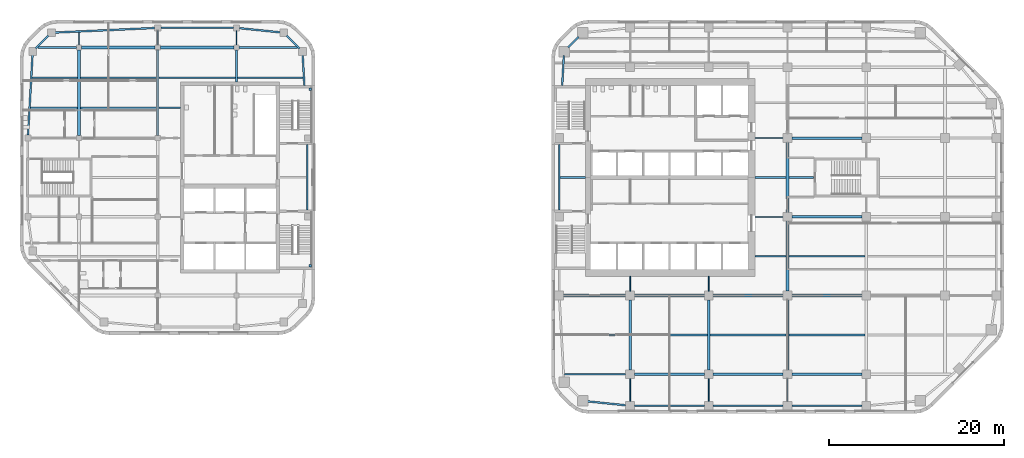
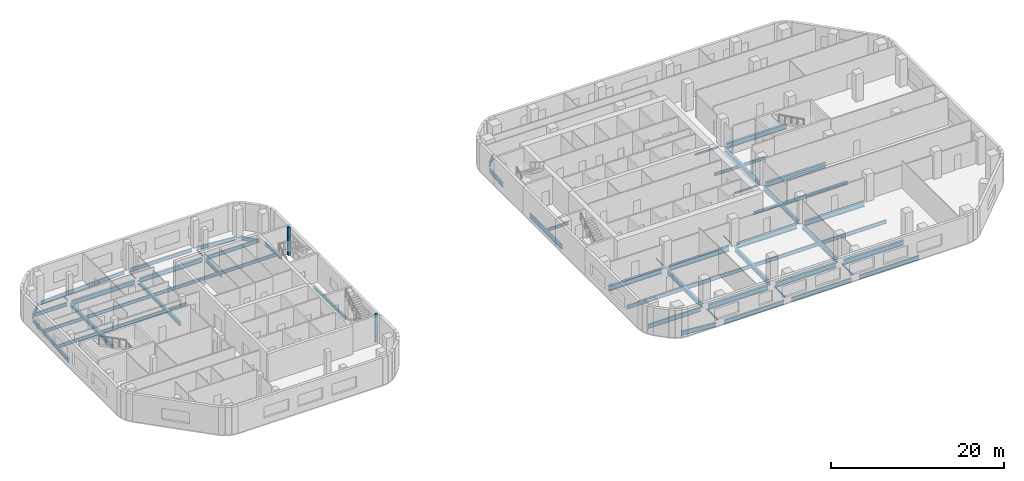
# One storey, part 2 of 14: 63 beams, 2 members.
"""IFC4 building model written with IfcOpenShell, lengths in metres."""

from ifc_helpers import new_model, si_unit, direction, frame, origin, origin_2d, place, context, subcontext, project, spatial, rectangle, i_section, extrude, material, material_profile, profile_set, type_object, element, save


model = new_model("IFC4")

# Units and contexts
model_context = context("Model", 3, precision=1e-05, world=origin(), true_north=direction((0.0, 1.0)))
body_context = subcontext(model_context, "Body", "Model", "MODEL_VIEW")
ifc_project = project(units=[si_unit("LENGTHUNIT", "METRE"), si_unit("AREAUNIT", "SQUARE_METRE"), si_unit("VOLUMEUNIT", "CUBIC_METRE"), si_unit("PLANEANGLEUNIT", "RADIAN"), si_unit("MASSUNIT", "GRAM", prefix="KILO")], contexts=[model_context])

# Site, building, storey
site_placement = place(None, origin())
site = spatial("IfcSite", under=ifc_project, at=site_placement, CompositionType="ELEMENT")
building_placement = place(site_placement, origin())
building = spatial("IfcBuilding", under=site, at=building_placement, Name="Cinnabar Reach Civic Tower", CompositionType="ELEMENT")
storey_placement = place(building_placement, frame((0.0, 0.0, 108.0)))
storey = spatial("IfcBuildingStorey", under=building, at=storey_placement, Name="L25", CompositionType="ELEMENT", Elevation=108.0)

# Beams
ifc_material_1 = material(Name="Steel Q355B", Category="steel")
ifc_material_profile_1 = material_profile(ifc_material_1, i_section(OverallWidth=0.3, OverallDepth=0.488, WebThickness=0.011, FlangeThickness=0.018, FilletRadius=0.016, at=origin_2d()), Name="HM488x300x11x18")
ifc_profile_set_1 = profile_set([ifc_material_profile_1], Name="Steel Q355B")
beam_type_1 = type_object("IfcBeamType", Name="HM488x300x11x18 beam R 120", PredefinedType="BEAM", material=ifc_profile_set_1)
for number, where, z_axis, x_axis, name in (
    (1, (-54.0, 36.302, -0.394), (0.0, 1.0, 0.0), (-1.0, 0.0, 0.0), "Girder T2 L25 4"),
    (2, (-45.0, 36.302, -0.394), (0.0, 1.0, 0.0), (-1.0, 0.0, 0.0), "Girder T2 L25 9"),
):
    element("IfcBeam", number, at=place(storey_placement, frame(where, z_axis=z_axis, x_axis=x_axis)), inside=storey, type_object=beam_type_1, Name=name, PredefinedType="BEAM", context=body_context, shape_type="SweptSolid", body=[
        extrude(i_section(OverallWidth=0.3, OverallDepth=0.488, WebThickness=0.011, FlangeThickness=0.018, FilletRadius=0.016, at=origin_2d()), origin(), (0.0, 0.0, 1.0), 9.746),
    ])
ifc_material_profile_2 = material_profile(ifc_material_1, i_section(OverallWidth=0.3, OverallDepth=0.588, WebThickness=0.012, FlangeThickness=0.02, FilletRadius=0.016, at=origin_2d()), Name="HM588x300x12x20")
ifc_profile_set_2 = profile_set([ifc_material_profile_2], Name="Steel Q355B")
beam_type_2 = type_object("IfcBeamType", Name="HM588x300x12x20 beam R 120", PredefinedType="BEAM", material=ifc_profile_set_2)
for number, where, z_axis, x_axis, name in (
    (3, (-53.698, 46.35, -0.444), (1.0, 0.0, 0.0), (0.0, 1.0, 0.0), "Girder T2 L25 11"),
    (4, (-44.698, 46.35, -0.444), (1.0, 0.0, 0.0), (0.0, 1.0, 0.0), "Girder T2 L25 12"),
):
    element("IfcBeam", number, at=place(storey_placement, frame(where, z_axis=z_axis, x_axis=x_axis)), inside=storey, type_object=beam_type_2, Name=name, PredefinedType="BEAM", context=body_context, shape_type="SweptSolid", body=[
        extrude(i_section(OverallWidth=0.3, OverallDepth=0.588, WebThickness=0.012, FlangeThickness=0.02, FilletRadius=0.016, at=origin_2d()), origin(), (0.0, 0.0, 1.0), 8.396),
    ])
ifc_material_profile_3 = material_profile(ifc_material_1, i_section(OverallWidth=0.302, OverallDepth=0.594, WebThickness=0.014, FlangeThickness=0.023, FilletRadius=0.016, at=origin_2d()), Name="HM594x302x14x23")
ifc_profile_set_3 = profile_set([ifc_material_profile_3], Name="Steel Q355B")
beam_type_3 = type_object("IfcBeamType", Name="HM594x302x14x23 beam R 180", PredefinedType="BEAM", material=ifc_profile_set_3)
for number, where, z_axis, x_axis, name in (
    (5, (9.0, 9.502, -0.447), (0.0, 1.0, 0.0), (-1.0, 0.0, 0.0), "Girder T1 L25 2"),
    (6, (18.0, 9.502, -0.447), (0.0, 1.0, 0.0), (-1.0, 0.0, 0.0), "Girder T1 L25 6"),
    (7, (27.0, 9.502, -0.447), (0.0, 1.0, 0.0), (-1.0, 0.0, 0.0), "Girder T1 L25 10"),
    (8, (27.0, 18.502, -0.447), (0.0, 1.0, 0.0), (-1.0, 0.0, 0.0), "Girder T1 L25 11"),
    (9, (27.0, 27.502, -0.447), (0.0, 1.0, 0.0), (-1.0, 0.0, 0.0), "Girder T1 L25 12"),
):
    element("IfcBeam", number, at=place(storey_placement, frame(where, z_axis=z_axis, x_axis=x_axis)), inside=storey, type_object=beam_type_3, Name=name, PredefinedType="BEAM", context=body_context, shape_type="SweptSolid", body=[
        extrude(i_section(OverallWidth=0.302, OverallDepth=0.594, WebThickness=0.014, FlangeThickness=0.023, FilletRadius=0.016, at=origin_2d()), origin(), (0.0, 0.0, 1.0), 7.996),
    ])
ifc_material_profile_4 = material_profile(ifc_material_1, i_section(OverallWidth=0.099, OverallDepth=0.198, WebThickness=0.0045, FlangeThickness=0.007, FilletRadius=0.013, at=origin_2d()), Name="HN200x100x5.5x8")
ifc_profile_set_4 = profile_set([ifc_material_profile_4], Name="Steel Q355B")
beam_type_4 = type_object("IfcBeamType", Name="HN200x100x5.5x8 beam R 120", PredefinedType="BEAM", material=ifc_profile_set_4)
beam_1_placement = place(storey_placement, frame((-54.0, 46.652, -0.249), z_axis=(0.0, 1.0, 0.0), x_axis=(-1.0, 0.0, 0.0)))
element("IfcBeam", 10, at=beam_1_placement, inside=storey, type_object=beam_type_4, Name="Girder T2 L25 5", PredefinedType="BEAM", context=body_context, shape_type="SweptSolid", body=[
    extrude(i_section(OverallWidth=0.099, OverallDepth=0.198, WebThickness=0.0045, FlangeThickness=0.007, FilletRadius=0.013, at=origin_2d()), origin(), (0.0, 0.0, 1.0), 1.4361),
])
for number, where, z_axis, x_axis, name in (
    (11, (-45.0, 46.652, -0.249), (0.0, 1.0, 0.0), (-1.0, 0.0, 0.0), "Girder T2 L25 10"),
    (12, (-36.0, 46.652, -0.249), (0.0, 1.0, 0.0), (-1.0, 0.0, 0.0), "Girder T2 L25 14"),
):
    element("IfcBeam", number, at=place(storey_placement, frame(where, z_axis=z_axis, x_axis=x_axis)), inside=storey, type_object=beam_type_4, Name=name, PredefinedType="BEAM", context=body_context, shape_type="SweptSolid", body=[
        extrude(i_section(OverallWidth=0.099, OverallDepth=0.198, WebThickness=0.0045, FlangeThickness=0.007, FilletRadius=0.013, at=origin_2d()), origin(), (0.0, 0.0, 1.0), 1.596),
    ])
ifc_material_profile_5 = material_profile(ifc_material_1, i_section(OverallWidth=0.099, OverallDepth=0.198, WebThickness=0.0045, FlangeThickness=0.007, FilletRadius=0.013, at=origin_2d()), Name="HN200x100x5.5x8")
ifc_profile_set_5 = profile_set([ifc_material_profile_5], Name="Steel Q355B")
beam_type_5 = type_object("IfcBeamType", Name="HN200x100x5.5x8 beam R 180", PredefinedType="BEAM", material=ifc_profile_set_5)
beam_2_placement = place(storey_placement, frame((9.0, 5.902, -0.249), z_axis=(0.0, 1.0, 0.0), x_axis=(-1.0, 0.0, 0.0)))
element("IfcBeam", 13, at=beam_2_placement, inside=storey, type_object=beam_type_5, Name="Girder T1 L25 1", PredefinedType="BEAM", context=body_context, shape_type="SweptSolid", body=[
    extrude(i_section(OverallWidth=0.099, OverallDepth=0.198, WebThickness=0.0045, FlangeThickness=0.007, FilletRadius=0.013, at=origin_2d()), origin(), (0.0, 0.0, 1.0), 2.596),
])
beam_3_placement = place(storey_placement, frame((9.0, 18.502, -0.249), z_axis=(0.0, 1.0, 0.0), x_axis=(-1.0, 0.0, 0.0)))
element("IfcBeam", 14, at=beam_3_placement, inside=storey, type_object=beam_type_5, Name="Girder T1 L25 3", PredefinedType="BEAM", context=body_context, shape_type="SweptSolid", body=[
    extrude(i_section(OverallWidth=0.099, OverallDepth=0.198, WebThickness=0.0045, FlangeThickness=0.007, FilletRadius=0.013, at=origin_2d()), origin(), (0.0, 0.0, 1.0), 1.696),
])
beam_4_placement = place(storey_placement, frame((18.0, 5.902, -0.249), z_axis=(0.0, 1.0, 0.0), x_axis=(-1.0, 0.0, 0.0)))
element("IfcBeam", 15, at=beam_4_placement, inside=storey, type_object=beam_type_5, Name="Girder T1 L25 5", PredefinedType="BEAM", context=body_context, shape_type="SweptSolid", body=[
    extrude(i_section(OverallWidth=0.099, OverallDepth=0.198, WebThickness=0.0045, FlangeThickness=0.007, FilletRadius=0.013, at=origin_2d()), origin(), (0.0, 0.0, 1.0), 2.596),
])
beam_5_placement = place(storey_placement, frame((18.0, 18.502, -0.249), z_axis=(0.0, 1.0, 0.0), x_axis=(-1.0, 0.0, 0.0)))
element("IfcBeam", 16, at=beam_5_placement, inside=storey, type_object=beam_type_5, Name="Girder T1 L25 7", PredefinedType="BEAM", context=body_context, shape_type="SweptSolid", body=[
    extrude(i_section(OverallWidth=0.099, OverallDepth=0.198, WebThickness=0.0045, FlangeThickness=0.007, FilletRadius=0.013, at=origin_2d()), origin(), (0.0, 0.0, 1.0), 1.696),
])
beam_6_placement = place(storey_placement, frame((27.0, 5.902, -0.249), z_axis=(0.0, 1.0, 0.0), x_axis=(-1.0, 0.0, 0.0)))
element("IfcBeam", 17, at=beam_6_placement, inside=storey, type_object=beam_type_5, Name="Girder T1 L25 9", PredefinedType="BEAM", context=body_context, shape_type="SweptSolid", body=[
    extrude(i_section(OverallWidth=0.099, OverallDepth=0.198, WebThickness=0.0045, FlangeThickness=0.007, FilletRadius=0.013, at=origin_2d()), origin(), (0.0, 0.0, 1.0), 2.596),
])
ifc_material_profile_6 = material_profile(ifc_material_1, i_section(OverallWidth=0.124, OverallDepth=0.248, WebThickness=0.005, FlangeThickness=0.008, FilletRadius=0.013, at=origin_2d()), Name="HN250x125x6x9")
ifc_profile_set_6 = profile_set([ifc_material_profile_6], Name="Steel Q355B")
beam_type_6 = type_object("IfcBeamType", Name="HN250x125x6x9 beam R 180", PredefinedType="BEAM", material=ifc_profile_set_6)
for number, where, z_axis, x_axis, name in (
    (18, (23.302, 27.0, -0.274), (1.0, 0.0, 0.0), (0.0, 1.0, 0.0), "Girder T1 L25 12"),
    (19, (23.302, 36.0, -0.274), (1.0, 0.0, 0.0), (0.0, 1.0, 0.0), "Girder T1 L25 16"),
):
    element("IfcBeam", number, at=place(storey_placement, frame(where, z_axis=z_axis, x_axis=x_axis)), inside=storey, type_object=beam_type_6, Name=name, PredefinedType="BEAM", context=body_context, shape_type="SweptSolid", body=[
        extrude(i_section(OverallWidth=0.124, OverallDepth=0.248, WebThickness=0.005, FlangeThickness=0.008, FilletRadius=0.013, at=origin_2d()), origin(), (0.0, 0.0, 1.0), 3.196),
    ])
ifc_material_profile_7 = material_profile(ifc_material_1, i_section(OverallWidth=0.175, OverallDepth=0.35, WebThickness=0.007, FlangeThickness=0.011, FilletRadius=0.013, at=origin_2d()), Name="HN350x175x7x11")
ifc_profile_set_7 = profile_set([ifc_material_profile_7], Name="Steel Q355B")
beam_type_7 = type_object("IfcBeamType", Name="HN350x175x7x11 beam R 120", PredefinedType="BEAM", material=ifc_profile_set_7)
beam_7_placement = place(storey_placement, frame((-44.848, 39.45, -0.325), z_axis=(1.0, 0.0, 0.0), x_axis=(0.0, 1.0, 0.0)))
element("IfcBeam", 20, at=beam_7_placement, inside=storey, type_object=beam_type_7, Name="Secondary beam T2 L25 9", PredefinedType="BEAM", context=body_context, shape_type="SweptSolid", body=[
    extrude(i_section(OverallWidth=0.175, OverallDepth=0.35, WebThickness=0.007, FlangeThickness=0.011, FilletRadius=0.013, at=origin_2d()), origin(), (0.0, 0.0, 1.0), 2.446),
])
ifc_material_profile_8 = material_profile(ifc_material_1, i_section(OverallWidth=0.199, OverallDepth=0.396, WebThickness=0.007, FlangeThickness=0.011, FilletRadius=0.013, at=origin_2d()), Name="HN396x199x7x11")
ifc_profile_set_8 = profile_set([ifc_material_profile_8], Name="Steel Q355B")
beam_type_8 = type_object("IfcBeamType", Name="HN396x199x7x11 beam R 180", PredefinedType="BEAM", material=ifc_profile_set_8)
beam_8_placement = place(storey_placement, frame((23.302, 22.5, -0.348), z_axis=(1.0, 0.0, 0.0), x_axis=(0.0, 1.0, 0.0)))
element("IfcBeam", 21, at=beam_8_placement, inside=storey, type_object=beam_type_8, Name="Secondary beam T1 L25 7", PredefinedType="BEAM", context=body_context, shape_type="SweptSolid", body=[
    extrude(i_section(OverallWidth=0.199, OverallDepth=0.396, WebThickness=0.007, FlangeThickness=0.011, FilletRadius=0.013, at=origin_2d()), origin(), (0.0, 0.0, 1.0), 3.545),
])
beam_9_placement = place(storey_placement, frame((1.002, 31.5, -0.348), z_axis=(1.0, 0.0, 0.0), x_axis=(0.0, 1.0, 0.0)))
element("IfcBeam", 22, at=beam_9_placement, inside=storey, type_object=beam_type_8, Name="Secondary beam T1 L25 11", PredefinedType="BEAM", context=body_context, shape_type="SweptSolid", body=[
    extrude(i_section(OverallWidth=0.199, OverallDepth=0.396, WebThickness=0.007, FlangeThickness=0.011, FilletRadius=0.013, at=origin_2d()), origin(), (0.0, 0.0, 1.0), 2.896),
])
beam_10_placement = place(storey_placement, frame((23.302, 31.5, -0.348), z_axis=(1.0, 0.0, 0.0), x_axis=(0.0, 1.0, 0.0)))
element("IfcBeam", 23, at=beam_10_placement, inside=storey, type_object=beam_type_8, Name="Secondary beam T1 L25 12", PredefinedType="BEAM", context=body_context, shape_type="SweptSolid", body=[
    extrude(i_section(OverallWidth=0.199, OverallDepth=0.396, WebThickness=0.007, FlangeThickness=0.011, FilletRadius=0.013, at=origin_2d()), origin(), (0.0, 0.0, 1.0), 3.545),
])
beam_11_placement = place(storey_placement, frame((27.153, 31.5, -0.348), z_axis=(1.0, 0.0, 0.0), x_axis=(0.0, 1.0, 0.0)))
element("IfcBeam", 24, at=beam_11_placement, inside=storey, type_object=beam_type_8, Name="Secondary beam T1 L25 13", PredefinedType="BEAM", context=body_context, shape_type="SweptSolid", body=[
    extrude(i_section(OverallWidth=0.199, OverallDepth=0.396, WebThickness=0.007, FlangeThickness=0.011, FilletRadius=0.013, at=origin_2d()), origin(), (0.0, 0.0, 1.0), 2.845),
])
ifc_material_profile_9 = material_profile(ifc_material_1, i_section(OverallWidth=0.2, OverallDepth=0.45, WebThickness=0.009, FlangeThickness=0.014, FilletRadius=0.016, at=origin_2d()), Name="HN450x200x9x14")
ifc_profile_set_9 = profile_set([ifc_material_profile_9], Name="Steel Q355B")
beam_type_9 = type_object("IfcBeamType", Name="HN450x200x9x14 beam R 120", PredefinedType="BEAM", material=ifc_profile_set_9)
beam_12_placement = place(storey_placement, frame((-59.5551, 39.45, -0.375), z_axis=(1.0, 0.0, 0.0), x_axis=(0.0, 1.0, 0.0)))
element("IfcBeam", 25, at=beam_12_placement, inside=storey, type_object=beam_type_9, Name="Secondary beam T2 L25 7", PredefinedType="BEAM", context=body_context, shape_type="SweptSolid", body=[
    extrude(i_section(OverallWidth=0.2, OverallDepth=0.45, WebThickness=0.009, FlangeThickness=0.014, FilletRadius=0.016, at=origin_2d()), origin(), (0.0, 0.0, 1.0), 5.4031),
])
beam_13_placement = place(storey_placement, frame((-53.848, 39.45, -0.375), z_axis=(1.0, 0.0, 0.0), x_axis=(0.0, 1.0, 0.0)))
element("IfcBeam", 26, at=beam_13_placement, inside=storey, type_object=beam_type_9, Name="Secondary beam T2 L25 8", PredefinedType="BEAM", context=body_context, shape_type="SweptSolid", body=[
    extrude(i_section(OverallWidth=0.2, OverallDepth=0.45, WebThickness=0.009, FlangeThickness=0.014, FilletRadius=0.016, at=origin_2d()), origin(), (0.0, 0.0, 1.0), 8.696),
])
beam_14_placement = place(storey_placement, frame((-59.3623, 42.9, -0.375), z_axis=(1.0, 0.0, 0.0), x_axis=(0.0, 1.0, 0.0)))
element("IfcBeam", 27, at=beam_14_placement, inside=storey, type_object=beam_type_9, Name="Secondary beam T2 L25 10", PredefinedType="BEAM", context=body_context, shape_type="SweptSolid", body=[
    extrude(i_section(OverallWidth=0.2, OverallDepth=0.45, WebThickness=0.009, FlangeThickness=0.014, FilletRadius=0.016, at=origin_2d()), origin(), (0.0, 0.0, 1.0), 5.2103),
])
beam_15_placement = place(storey_placement, frame((-53.848, 42.9, -0.375), z_axis=(1.0, 0.0, 0.0), x_axis=(0.0, 1.0, 0.0)))
element("IfcBeam", 28, at=beam_15_placement, inside=storey, type_object=beam_type_9, Name="Secondary beam T2 L25 11", PredefinedType="BEAM", context=body_context, shape_type="SweptSolid", body=[
    extrude(i_section(OverallWidth=0.2, OverallDepth=0.45, WebThickness=0.009, FlangeThickness=0.014, FilletRadius=0.016, at=origin_2d()), origin(), (0.0, 0.0, 1.0), 8.696),
])
beam_16_placement = place(storey_placement, frame((-44.848, 42.9, -0.375), z_axis=(1.0, 0.0, 0.0), x_axis=(0.0, 1.0, 0.0)))
element("IfcBeam", 29, at=beam_16_placement, inside=storey, type_object=beam_type_9, Name="Secondary beam T2 L25 12", PredefinedType="BEAM", context=body_context, shape_type="SweptSolid", body=[
    extrude(i_section(OverallWidth=0.2, OverallDepth=0.45, WebThickness=0.009, FlangeThickness=0.014, FilletRadius=0.016, at=origin_2d()), origin(), (0.0, 0.0, 1.0), 8.746),
])
beam_17_placement = place(storey_placement, frame((-35.898, 42.9, -0.375), z_axis=(1.0, 0.0, 0.0), x_axis=(0.0, 1.0, 0.0)))
element("IfcBeam", 30, at=beam_17_placement, inside=storey, type_object=beam_type_9, Name="Secondary beam T2 L25 13", PredefinedType="BEAM", context=body_context, shape_type="SweptSolid", body=[
    extrude(i_section(OverallWidth=0.2, OverallDepth=0.45, WebThickness=0.009, FlangeThickness=0.014, FilletRadius=0.016, at=origin_2d()), origin(), (0.0, 0.0, 1.0), 7.5103),
])
ifc_material_profile_10 = material_profile(ifc_material_1, i_section(OverallWidth=0.199, OverallDepth=0.496, WebThickness=0.009, FlangeThickness=0.014, FilletRadius=0.016, at=origin_2d()), Name="HN496x199x9x14")
ifc_profile_set_10 = profile_set([ifc_material_profile_10], Name="Steel Q355B")
beam_type_10 = type_object("IfcBeamType", Name="HN496x199x9x14 beam R 180", PredefinedType="BEAM", material=ifc_profile_set_10)
beam_18_placement = place(storey_placement, frame((1.2536, 13.5, -0.398), z_axis=(1.0, 0.0, 0.0), x_axis=(0.0, 1.0, 0.0)))
element("IfcBeam", 31, at=beam_18_placement, inside=storey, type_object=beam_type_10, Name="Secondary beam T1 L25 1", PredefinedType="BEAM", context=body_context, shape_type="SweptSolid", body=[
    extrude(i_section(OverallWidth=0.199, OverallDepth=0.496, WebThickness=0.009, FlangeThickness=0.014, FilletRadius=0.016, at=origin_2d()), origin(), (0.0, 0.0, 1.0), 7.5934),
])
for number, where, z_axis, x_axis, name in (
    (32, (9.153, 13.5, -0.398), (1.0, 0.0, 0.0), (0.0, 1.0, 0.0), "Secondary beam T1 L25 2"),
    (33, (18.153, 13.5, -0.398), (1.0, 0.0, 0.0), (0.0, 1.0, 0.0), "Secondary beam T1 L25 3"),
    (34, (27.153, 13.5, -0.398), (1.0, 0.0, 0.0), (0.0, 1.0, 0.0), "Secondary beam T1 L25 4"),
    (35, (27.153, 22.5, -0.398), (1.0, 0.0, 0.0), (0.0, 1.0, 0.0), "Secondary beam T1 L25 8"),
):
    element("IfcBeam", number, at=place(storey_placement, frame(where, z_axis=z_axis, x_axis=x_axis)), inside=storey, type_object=beam_type_10, Name=name, PredefinedType="BEAM", context=body_context, shape_type="SweptSolid", body=[
        extrude(i_section(OverallWidth=0.199, OverallDepth=0.496, WebThickness=0.009, FlangeThickness=0.014, FilletRadius=0.016, at=origin_2d()), origin(), (0.0, 0.0, 1.0), 8.694),
    ])
ifc_material_profile_11 = material_profile(ifc_material_1, i_section(OverallWidth=0.2, OverallDepth=0.5, WebThickness=0.01, FlangeThickness=0.016, FilletRadius=0.016, at=origin_2d()), Name="HN500x200x10x16")
ifc_profile_set_11 = profile_set([ifc_material_profile_11], Name="Steel Q355B")
beam_type_11 = type_object("IfcBeamType", Name="HN500x200x10x16 beam R 120", PredefinedType="BEAM", material=ifc_profile_set_11)
beam_19_placement = place(storey_placement, frame((-27.9, 27.752, -0.4), z_axis=(0.0, 1.0, 0.0), x_axis=(-1.0, 0.0, 0.0)))
element("IfcBeam", 36, at=beam_19_placement, inside=storey, type_object=beam_type_11, Name="Edge beam T2 L25 6", PredefinedType="BEAM", context=body_context, shape_type="SweptSolid", body=[
    extrude(i_section(OverallWidth=0.2, OverallDepth=0.5, WebThickness=0.01, FlangeThickness=0.016, FilletRadius=0.016, at=origin_2d()), origin(), (0.0, 0.0, 1.0), 7.496),
])
beam_20_placement = place(storey_placement, frame((-28.2354, 42.002, -0.4), z_axis=(-0.055775670196, 0.99844332569, 0.0), x_axis=(-0.99844332569, -0.055775670196, 0.0)))
element("IfcBeam", 37, at=beam_20_placement, inside=storey, type_object=beam_type_11, Name="Edge beam T2 L25 7", PredefinedType="BEAM", context=body_context, shape_type="SweptSolid", body=[
    extrude(i_section(OverallWidth=0.2, OverallDepth=0.5, WebThickness=0.01, FlangeThickness=0.016, FilletRadius=0.016, at=origin_2d()), origin(), (0.0, 0.0, 1.0), 3.5697),
])
beam_21_placement = place(storey_placement, frame((-28.7851, 46.2301, -0.4), z_axis=(-0.707106781187, 0.707106781187, 0.0), x_axis=(-0.707106781187, -0.707106781187, 0.0)))
element("IfcBeam", 38, at=beam_21_placement, inside=storey, type_object=beam_type_11, Name="Edge beam T2 L25 8", PredefinedType="BEAM", context=body_context, shape_type="SweptSolid", body=[
    extrude(i_section(OverallWidth=0.2, OverallDepth=0.5, WebThickness=0.01, FlangeThickness=0.016, FilletRadius=0.016, at=origin_2d()), origin(), (0.0, 0.0, 1.0), 2.0998),
])
beam_22_placement = place(storey_placement, frame((-30.9339, 48.0809, -0.4), z_axis=(-0.994792087401, 0.101924986363, 0.0), x_axis=(-0.101924986363, -0.994792087401, 0.0)))
element("IfcBeam", 39, at=beam_22_placement, inside=storey, type_object=beam_type_11, Name="Edge beam T2 L25 9", PredefinedType="BEAM", context=body_context, shape_type="SweptSolid", body=[
    extrude(i_section(OverallWidth=0.2, OverallDepth=0.5, WebThickness=0.01, FlangeThickness=0.016, FilletRadius=0.016, at=origin_2d()), origin(), (0.0, 0.0, 1.0), 4.7388),
])
beam_23_placement = place(storey_placement, frame((-36.352, 48.6, -0.4), z_axis=(-1.0, 0.0, 0.0), x_axis=(0.0, -1.0, 0.0)))
element("IfcBeam", 40, at=beam_23_placement, inside=storey, type_object=beam_type_11, Name="Edge beam T2 L25 10", PredefinedType="BEAM", context=body_context, shape_type="SweptSolid", body=[
    extrude(i_section(OverallWidth=0.2, OverallDepth=0.5, WebThickness=0.01, FlangeThickness=0.016, FilletRadius=0.016, at=origin_2d()), origin(), (0.0, 0.0, 1.0), 8.296),
])
beam_24_placement = place(storey_placement, frame((-45.352, 48.584, -0.4), z_axis=(-0.998964961738, -0.045486319033, 0.0), x_axis=(0.045486319033, -0.998964961738, 0.0)))
element("IfcBeam", 41, at=beam_24_placement, inside=storey, type_object=beam_type_11, Name="Edge beam T2 L25 11", PredefinedType="BEAM", context=body_context, shape_type="SweptSolid", body=[
    extrude(i_section(OverallWidth=0.2, OverallDepth=0.5, WebThickness=0.01, FlangeThickness=0.016, FilletRadius=0.016, at=origin_2d()), origin(), (0.0, 0.0, 1.0), 11.476),
])
beam_25_placement = place(storey_placement, frame((-57.4801, 47.7149, -0.4), z_axis=(-0.707106781187, -0.707106781187, 0.0), x_axis=(0.707106781187, -0.707106781187, 0.0)))
element("IfcBeam", 42, at=beam_25_placement, inside=storey, type_object=beam_type_11, Name="Edge beam T2 L25 12", PredefinedType="BEAM", context=body_context, shape_type="SweptSolid", body=[
    extrude(i_section(OverallWidth=0.2, OverallDepth=0.5, WebThickness=0.01, FlangeThickness=0.016, FilletRadius=0.016, at=origin_2d()), origin(), (0.0, 0.0, 1.0), 2.0998),
])
beam_26_placement = place(storey_placement, frame((-59.3155, 45.5661, -0.4), z_axis=(-0.055783895065, -0.998442866193, 0.0), x_axis=(0.998442866193, -0.055783895065, 0.0)))
element("IfcBeam", 43, at=beam_26_placement, inside=storey, type_object=beam_type_11, Name="Edge beam T2 L25 13", PredefinedType="BEAM", context=body_context, shape_type="SweptSolid", body=[
    extrude(i_section(OverallWidth=0.2, OverallDepth=0.5, WebThickness=0.01, FlangeThickness=0.016, FilletRadius=0.016, at=origin_2d()), origin(), (0.0, 0.0, 1.0), 9.2285),
])
beam_27_placement = place(storey_placement, frame((-58.7008, 46.35, -0.4), z_axis=(1.0, 0.0, 0.0), x_axis=(0.0, 1.0, 0.0)))
element("IfcBeam", 44, at=beam_27_placement, inside=storey, type_object=beam_type_11, Name="Girder T2 L25 10", PredefinedType="BEAM", context=body_context, shape_type="SweptSolid", body=[
    extrude(i_section(OverallWidth=0.2, OverallDepth=0.5, WebThickness=0.01, FlangeThickness=0.016, FilletRadius=0.016, at=origin_2d()), origin(), (0.0, 0.0, 1.0), 4.3988),
])
beam_28_placement = place(storey_placement, frame((-35.698, 46.35, -0.4), z_axis=(1.0, 0.0, 0.0), x_axis=(0.0, 1.0, 0.0)))
element("IfcBeam", 45, at=beam_28_placement, inside=storey, type_object=beam_type_11, Name="Girder T2 L25 13", PredefinedType="BEAM", context=body_context, shape_type="SweptSolid", body=[
    extrude(i_section(OverallWidth=0.2, OverallDepth=0.5, WebThickness=0.01, FlangeThickness=0.016, FilletRadius=0.016, at=origin_2d()), origin(), (0.0, 0.0, 1.0), 6.6488),
])
beam_29_placement = place(storey_placement, frame((-36.0, 42.402, -0.4), z_axis=(0.0, 1.0, 0.0), x_axis=(-1.0, 0.0, 0.0)))
element("IfcBeam", 46, at=beam_29_placement, inside=storey, type_object=beam_type_11, Name="Girder T2 L25 13", PredefinedType="BEAM", context=body_context, shape_type="SweptSolid", body=[
    extrude(i_section(OverallWidth=0.2, OverallDepth=0.5, WebThickness=0.01, FlangeThickness=0.016, FilletRadius=0.016, at=origin_2d()), origin(), (0.0, 0.0, 1.0), 3.646),
])
ifc_material_profile_12 = material_profile(ifc_material_1, i_section(OverallWidth=0.199, OverallDepth=0.596, WebThickness=0.01, FlangeThickness=0.015, FilletRadius=0.016, at=origin_2d()), Name="HN596x199x10x15")
ifc_profile_set_12 = profile_set([ifc_material_profile_12], Name="Steel Q355B")
beam_type_12 = type_object("IfcBeamType", Name="HN596x199x10x15 beam R 180", PredefinedType="BEAM", material=ifc_profile_set_12)
beam_30_placement = place(storey_placement, frame((1.5051, 9.0, -0.448), z_axis=(1.0, 0.0, 0.0), x_axis=(0.0, 1.0, 0.0)))
element("IfcBeam", 47, at=beam_30_placement, inside=storey, type_object=beam_type_12, Name="Girder T1 L25 1", PredefinedType="BEAM", context=body_context, shape_type="SweptSolid", body=[
    extrude(i_section(OverallWidth=0.199, OverallDepth=0.596, WebThickness=0.01, FlangeThickness=0.015, FilletRadius=0.016, at=origin_2d()), origin(), (0.0, 0.0, 1.0), 6.9929),
])
ifc_material_profile_13 = material_profile(ifc_material_1, i_section(OverallWidth=0.2, OverallDepth=0.6, WebThickness=0.011, FlangeThickness=0.017, FilletRadius=0.016, at=origin_2d()), Name="HN600x200x11x17")
ifc_profile_set_13 = profile_set([ifc_material_profile_13], Name="Steel Q355B")
beam_type_13 = type_object("IfcBeamType", Name="HN600x200x11x17 beam R 180", PredefinedType="BEAM", material=ifc_profile_set_13)
beam_31_placement = place(storey_placement, frame((4.0839, 5.9037, -0.45), z_axis=(0.994791228755, -0.101933366432, 0.0), x_axis=(0.101933366432, 0.994791228755, 0.0)))
element("IfcBeam", 48, at=beam_31_placement, inside=storey, type_object=beam_type_13, Name="Edge beam T1 L25 1", PredefinedType="BEAM", context=body_context, shape_type="SweptSolid", body=[
    extrude(i_section(OverallWidth=0.2, OverallDepth=0.6, WebThickness=0.011, FlangeThickness=0.017, FilletRadius=0.016, at=origin_2d()), origin(), (0.0, 0.0, 1.0), 4.4372),
])
for number, where, z_axis, x_axis, name in (
    (49, (9.502, 5.4, -0.45), (1.0, 0.0, 0.0), (0.0, 1.0, 0.0), "Edge beam T1 L25 2"),
    (50, (18.502, 5.4, -0.45), (1.0, 0.0, 0.0), (0.0, 1.0, 0.0), "Edge beam T1 L25 3"),
    (51, (27.502, 5.4, -0.45), (1.0, 0.0, 0.0), (0.0, 1.0, 0.0), "Edge beam T1 L25 4"),
):
    element("IfcBeam", number, at=place(storey_placement, frame(where, z_axis=z_axis, x_axis=x_axis)), inside=storey, type_object=beam_type_13, Name=name, PredefinedType="BEAM", context=body_context, shape_type="SweptSolid", body=[
        extrude(i_section(OverallWidth=0.2, OverallDepth=0.6, WebThickness=0.011, FlangeThickness=0.017, FilletRadius=0.016, at=origin_2d()), origin(), (0.0, 0.0, 1.0), 7.996),
    ])
beam_32_placement = place(storey_placement, frame((3.1199, 47.5649, -0.45), z_axis=(-0.707106781187, -0.707106781187, 0.0), x_axis=(0.707106781187, -0.707106781187, 0.0)))
element("IfcBeam", 52, at=beam_32_placement, inside=storey, type_object=beam_type_13, Name="Edge beam T1 L25 19", PredefinedType="BEAM", context=body_context, shape_type="SweptSolid", body=[
    extrude(i_section(OverallWidth=0.2, OverallDepth=0.6, WebThickness=0.011, FlangeThickness=0.017, FilletRadius=0.016, at=origin_2d()), origin(), (0.0, 0.0, 1.0), 1.6756),
])
beam_33_placement = place(storey_placement, frame((1.4262, 45.4161, -0.45), z_axis=(-0.055798816608, -0.998442032401, 0.0), x_axis=(0.998442032401, -0.055798816608, 0.0)))
element("IfcBeam", 53, at=beam_33_placement, inside=storey, type_object=beam_type_13, Name="Edge beam T1 L25 20", PredefinedType="BEAM", context=body_context, shape_type="SweptSolid", body=[
    extrude(i_section(OverallWidth=0.2, OverallDepth=0.6, WebThickness=0.011, FlangeThickness=0.017, FilletRadius=0.016, at=origin_2d()), origin(), (0.0, 0.0, 1.0), 3.4194),
])
beam_34_placement = place(storey_placement, frame((0.9, 35.248, -0.45), z_axis=(0.0, -1.0, 0.0), x_axis=(1.0, 0.0, 0.0)))
element("IfcBeam", 54, at=beam_34_placement, inside=storey, type_object=beam_type_13, Name="Edge beam T1 L25 21", PredefinedType="BEAM", context=body_context, shape_type="SweptSolid", body=[
    extrude(i_section(OverallWidth=0.2, OverallDepth=0.6, WebThickness=0.011, FlangeThickness=0.017, FilletRadius=0.016, at=origin_2d()), origin(), (0.0, 0.0, 1.0), 7.496),
])
ifc_material_profile_14 = material_profile(ifc_material_1, i_section(OverallWidth=0.3, OverallDepth=0.692, WebThickness=0.013, FlangeThickness=0.02, FilletRadius=0.016, at=origin_2d()), Name="HN692x300x13x20")
ifc_profile_set_14 = profile_set([ifc_material_profile_14], Name="Steel Q355B")
beam_type_14 = type_object("IfcBeamType", Name="HN692x300x13x20 beam R 180", PredefinedType="BEAM", material=ifc_profile_set_14)
for number, where, z_axis, x_axis, name in (
    (55, (9.502, 9.0, -0.496), (1.0, 0.0, 0.0), (0.0, 1.0, 0.0), "Girder T1 L25 2"),
    (56, (18.502, 9.0, -0.496), (1.0, 0.0, 0.0), (0.0, 1.0, 0.0), "Girder T1 L25 3"),
    (57, (27.502, 9.0, -0.496), (1.0, 0.0, 0.0), (0.0, 1.0, 0.0), "Girder T1 L25 4"),
):
    element("IfcBeam", number, at=place(storey_placement, frame(where, z_axis=z_axis, x_axis=x_axis)), inside=storey, type_object=beam_type_14, Name=name, PredefinedType="BEAM", context=body_context, shape_type="SweptSolid", body=[
        extrude(i_section(OverallWidth=0.3, OverallDepth=0.692, WebThickness=0.013, FlangeThickness=0.02, FilletRadius=0.016, at=origin_2d()), origin(), (0.0, 0.0, 1.0), 7.996),
    ])
beam_35_placement = place(storey_placement, frame((1.402, 18.0, -0.496), z_axis=(1.0, 0.0, 0.0), x_axis=(0.0, 1.0, 0.0)))
element("IfcBeam", 58, at=beam_35_placement, inside=storey, type_object=beam_type_14, Name="Girder T1 L25 6", PredefinedType="BEAM", context=body_context, shape_type="SweptSolid", body=[
    extrude(i_section(OverallWidth=0.3, OverallDepth=0.692, WebThickness=0.013, FlangeThickness=0.02, FilletRadius=0.016, at=origin_2d()), origin(), (0.0, 0.0, 1.0), 7.096),
])
for number, where, z_axis, x_axis, name in (
    (59, (9.502, 18.0, -0.496), (1.0, 0.0, 0.0), (0.0, 1.0, 0.0), "Girder T1 L25 7"),
    (60, (18.502, 18.0, -0.496), (1.0, 0.0, 0.0), (0.0, 1.0, 0.0), "Girder T1 L25 8"),
    (61, (27.502, 18.0, -0.496), (1.0, 0.0, 0.0), (0.0, 1.0, 0.0), "Girder T1 L25 9"),
    (62, (27.502, 27.0, -0.496), (1.0, 0.0, 0.0), (0.0, 1.0, 0.0), "Girder T1 L25 13"),
    (63, (27.502, 36.0, -0.496), (1.0, 0.0, 0.0), (0.0, 1.0, 0.0), "Girder T1 L25 17"),
):
    element("IfcBeam", number, at=place(storey_placement, frame(where, z_axis=z_axis, x_axis=x_axis)), inside=storey, type_object=beam_type_14, Name=name, PredefinedType="BEAM", context=body_context, shape_type="SweptSolid", body=[
        extrude(i_section(OverallWidth=0.3, OverallDepth=0.692, WebThickness=0.013, FlangeThickness=0.02, FilletRadius=0.016, at=origin_2d()), origin(), (0.0, 0.0, 1.0), 7.996),
    ])

# Members
ifc_material_2 = material(Name="Concrete C40", Category="concrete")
ifc_material_profile_15 = material_profile(ifc_material_2, rectangle(XDim=0.3, YDim=0.3, at=origin_2d()), Name="C300")
ifc_profile_set_15 = profile_set([ifc_material_profile_15], Name="Concrete C40")
member_type = type_object("IfcMemberType", Name="T2 stair post 300", PredefinedType="STRUT", material=ifc_profile_set_15)
for number, where, z_axis, x_axis, name in (
    (64, (-27.55, 21.4, 0.0), (0.0, 0.0, 1.0), (1.0, 0.0, 0.0), "Stair post 1"),
    (65, (-27.55, 41.6, 0.0), (0.0, 0.0, 1.0), (1.0, 0.0, 0.0), "Stair post 2"),
):
    element("IfcMember", number, at=place(storey_placement, frame(where, z_axis=z_axis, x_axis=x_axis)), inside=storey, type_object=member_type, Name=name, PredefinedType="STRUT", context=body_context, shape_type="SweptSolid", body=[
        extrude(rectangle(XDim=0.3, YDim=0.3, at=origin_2d()), origin(), (0.0, 0.0, 1.0), 4.0),
    ])

save(model, "model.ifc")
